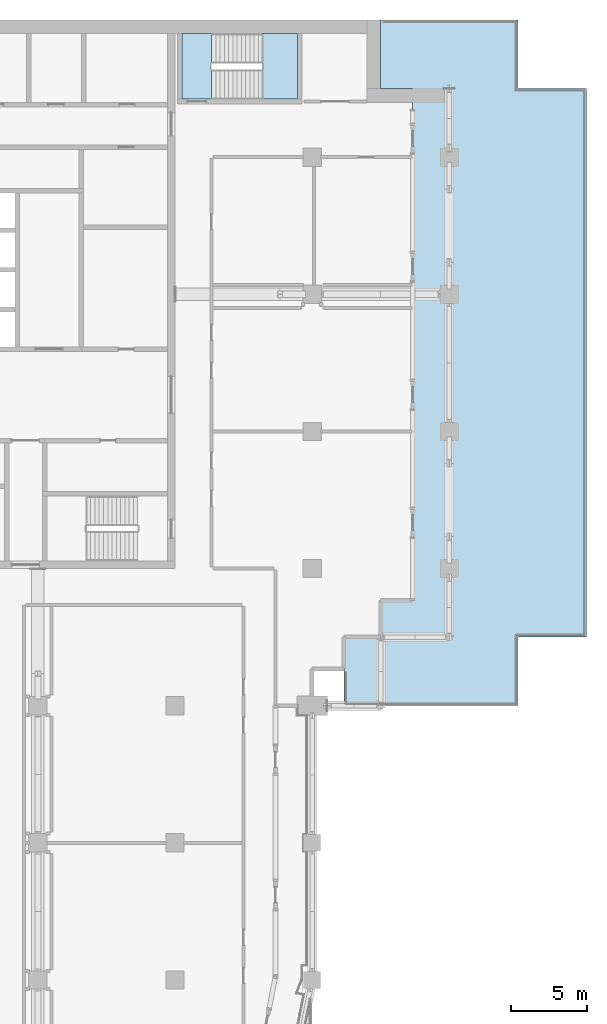
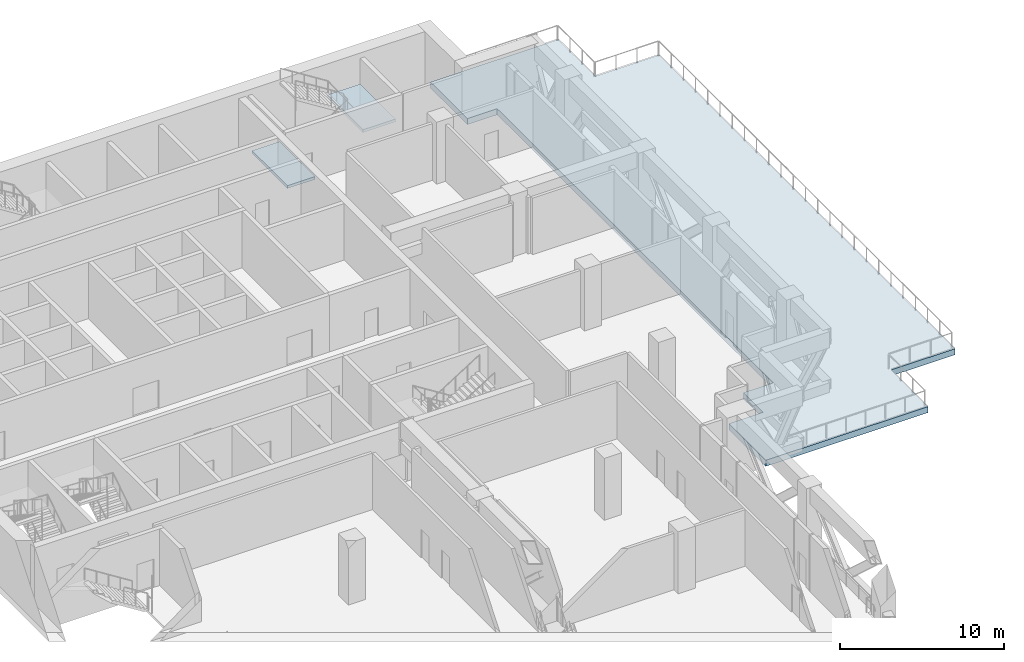
# One storey, part 6 of 20: 3 slabs, 1 element without a shape of its own.
"""IFC4 building model written with IfcOpenShell, lengths in metres."""

from ifc_helpers import new_model, si_unit, direction, frame, origin, place, context, subcontext, project, spatial, polyline, outline, extrude, material, layer, layer_set, type_object, element, aggregate, save


model = new_model("IFC4")

# Units and contexts
model_context = context("Model", 3, precision=1e-05, world=origin(), true_north=direction((0.0, 1.0)))
body_context = subcontext(model_context, "Body", "Model", "MODEL_VIEW")
ifc_project = project(units=[si_unit("LENGTHUNIT", "METRE"), si_unit("AREAUNIT", "SQUARE_METRE"), si_unit("VOLUMEUNIT", "CUBIC_METRE"), si_unit("PLANEANGLEUNIT", "RADIAN"), si_unit("MASSUNIT", "GRAM", prefix="KILO")], contexts=[model_context])

# Site, building, storey
site_placement = place(None, origin())
site = spatial("IfcSite", under=ifc_project, at=site_placement, CompositionType="ELEMENT")
building_placement = place(site_placement, origin())
building = spatial("IfcBuilding", under=site, at=building_placement, Name="Hunhe Ridgeline Campus", CompositionType="ELEMENT")
storey_placement = place(building_placement, frame((0.0, 0.0, 178.199951171875)))
storey = spatial("IfcBuildingStorey", under=building, at=storey_placement, Name="L45", CompositionType="ELEMENT", Elevation=178.199951171875)

# Stair, slab
ifc_material = material(Name="Concrete C40", Category="concrete")
stair_type = type_object("IfcStairType", Name="Reinforced concrete dog-leg stair 1950 Concrete C40", PredefinedType="HALF_TURN_STAIR", material=ifc_material)
stair_placement = place(storey_placement, origin())
stair = element("IfcStair", 1, at=stair_placement, inside=storey, type_object=stair_type, Name="L45 E1", PredefinedType="HALF_TURN_STAIR")
ifc_layer_1 = layer(ifc_material, 0.199951171875)
ifc_layer_set_1 = layer_set([ifc_layer_1], Name="Reinforced concrete stair landing 200 Concrete C40")
slab_type_1 = type_object("IfcSlabType", Name="Reinforced concrete stair landing 200 Concrete C40", PredefinedType="LANDING", material=ifc_layer_set_1)
slab_1_placement = place(storey_placement, frame((0.0, 0.0, 2.10009765625)))
slab_1 = element("IfcSlab", 2, at=slab_1_placement, type_object=slab_type_1, Name="ST5 landing 1", PredefinedType="LANDING", context=body_context, shape_type="SweptSolid", body=[
    extrude(outline(polyline([(41.760009765625, 93.800048828125), (44.050048828125, 93.800048828125), (44.050048828125, 98.10009765625), (41.760009765625, 98.10009765625), (41.760009765625, 93.800048828125)])), origin(), (0.0, 0.0, 1.0), 0.199951171875),
])
aggregate(stair, [slab_1])

# Slabs
slab_2_placement = place(storey_placement, frame((0.0, 0.0, -0.199951171875)))
element("IfcSlab", 3, at=slab_2_placement, inside=storey, type_object=slab_type_1, Name="L45 stair E1 floor landing", PredefinedType="LANDING", context=body_context, shape_type="SweptSolid", body=[
    extrude(outline(polyline([(36.449951171875, 93.800048828125), (38.39990234375, 93.800048828125), (38.39990234375, 98.10009765625), (36.449951171875, 98.10009765625), (36.449951171875, 93.800048828125)])), origin(), (0.0, 0.0, 1.0), 0.199951171875),
])
ifc_layer_2 = layer(ifc_material, 0.449951171875)
ifc_layer_set_2 = layer_set([ifc_layer_2], Name="Terrace slab 450 Concrete C40")
slab_type_2 = type_object("IfcSlabType", Name="Terrace slab 450 Concrete C40", PredefinedType="FLOOR", material=ifc_layer_set_2)
slab_3_placement = place(storey_placement, frame((0.0, 0.0, -0.449951171875)))
element("IfcSlab", 4, at=slab_3_placement, inside=storey, type_object=slab_type_2, Name="Terrace slab L45 1", PredefinedType="FLOOR", context=body_context, shape_type="SweptSolid", body=[
    extrude(outline(polyline([(58.500244140625, 58.499755859375), (63.0, 58.5), (63.0, 94.5), (58.500244140625, 94.500244140625), (58.5, 99.0), (49.5, 99.0), (49.5, 94.5), (51.60009765625, 94.4990234375), (51.60009765625, 60.90087890625), (49.5, 60.89990234375), (49.49951171875, 58.5), (47.10009765625, 58.5), (47.10009765625, 54.0), (58.5, 54.0), (58.500244140625, 58.499755859375)])), origin(), (0.0, 0.0, 1.0), 0.449951171875),
])

save(model, "model.ifc")
